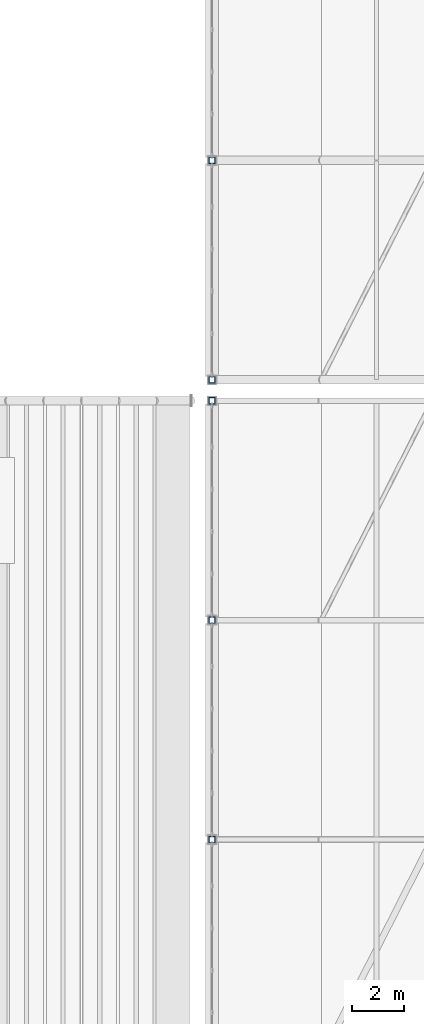
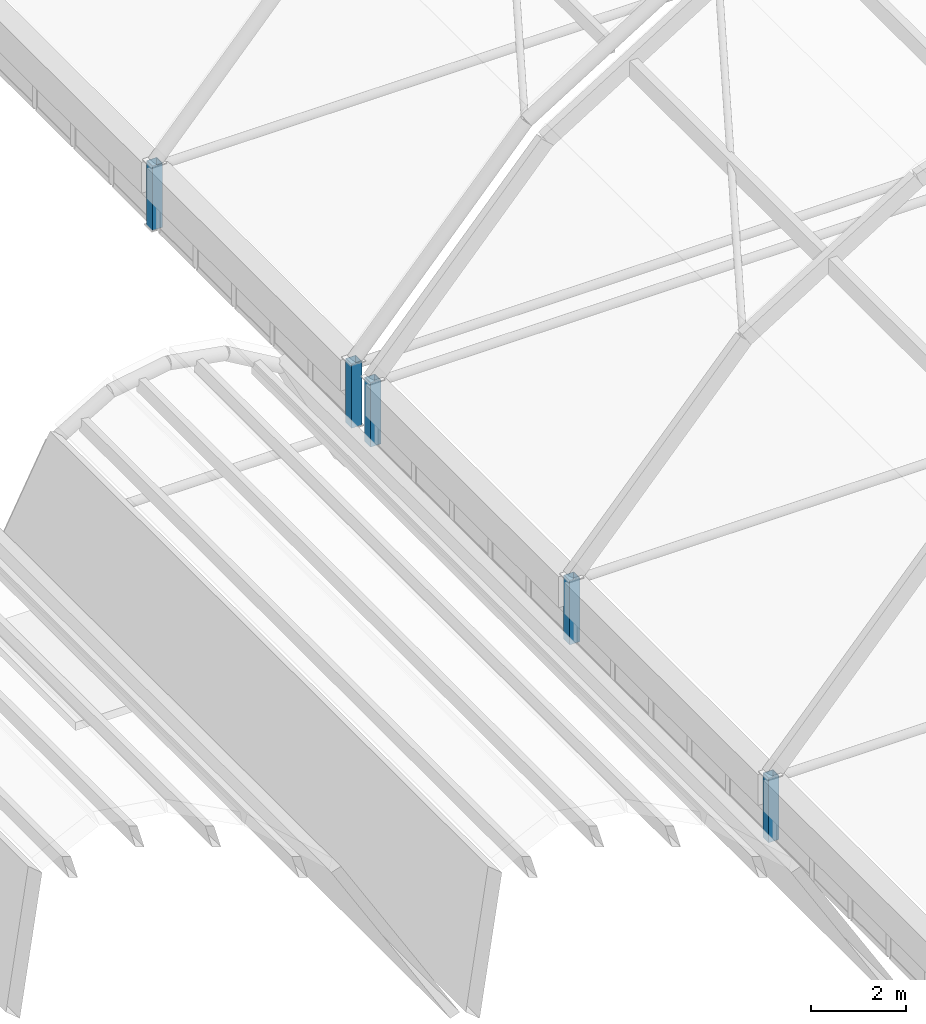
# One storey, part 3 of 114: 5 columns.
"""IFC4 building model written with IfcOpenShell, lengths in metres."""

import ifcopenshell
import ifcopenshell.guid

model = None  # the IFC model being written
_history = None  # IfcOwnerHistory: only IFC2X3 demands one
_inside = {}  # id of a spatial element -> (the spatial element, [elements in it])
_under = {}  # id of a project, library or spatial element -> (it, [spatial elements below it])
_declared = {}  # id of a project -> (the project, [libraries it declares])
_typed = {}  # id of a type object -> (the type object, [elements of that type])
_made_of = {}  # id of a material, layer set ... -> (it, [elements and type objects made of it])


def new_model(schema):
    """Start an empty IFC model of exactly this schema.

    Asked for "IFC4X3", IfcOpenShell would pick the latest addendum, in which some entities
    have other attributes; the version numbers below select the first issue.
    IFC2X3 requires an IfcOwnerHistory on every rooted entity: one is made here for all.
    """
    global model, _history
    if schema == "IFC4X3":
        model = ifcopenshell.file(schema_version=(4, 3, 0, 0))
    else:
        model = ifcopenshell.file(schema=schema)
    _inside.clear()
    _under.clear()
    _declared.clear()
    _typed.clear()
    _made_of.clear()
    _history = None
    if model.schema == "IFC2X3":
        org = make("IfcOrganization", Name="unknown")
        user = make(
            "IfcPersonAndOrganization",
            ThePerson=make("IfcPerson", FamilyName="unknown"),
            TheOrganization=org,
        )
        app = make(
            "IfcApplication",
            ApplicationDeveloper=org,
            Version="unknown",
            ApplicationFullName="unknown",
            ApplicationIdentifier="unknown",
        )
        _history = make(
            "IfcOwnerHistory",
            OwningUser=user,
            OwningApplication=app,
            ChangeAction="ADDED",
            CreationDate=0,
        )
    return model


def make(cls, **values):
    """One entity of the class cls with the attributes given. An attribute that is None is left unset."""
    return model.create_entity(
        cls, **{name: value for name, value in values.items() if value is not None}
    )


def rooted(cls, **values):
    """An entity with a GlobalId (a new one), such as an element, a storey or a relation."""
    return make(cls, GlobalId=ifcopenshell.guid.new(), OwnerHistory=_history, **values)


def si_unit(unit_type, name, prefix=None):
    """IfcSIUnit, for example si_unit("LENGTHUNIT", "METRE", prefix="MILLI")."""
    return make("IfcSIUnit", UnitType=unit_type, Prefix=prefix, Name=name)


def assignment(units):
    """IfcUnitAssignment: the units of a project."""
    return None if units is None else make("IfcUnitAssignment", Units=units)


def point(xyz):
    """IfcCartesianPoint."""
    return None if xyz is None else make("IfcCartesianPoint", Coordinates=xyz)


def direction(xyz):
    """IfcDirection."""
    return None if xyz is None else make("IfcDirection", DirectionRatios=xyz)


def frame(location, z_axis=None, x_axis=None):
    """IfcAxis2Placement3D, a coordinate frame: its origin and axes. An axis left out is left unset."""
    return make(
        "IfcAxis2Placement3D",
        Location=point(location),
        Axis=direction(z_axis),
        RefDirection=direction(x_axis),
    )


def frame_2d(location, x_axis=None):
    """IfcAxis2Placement2D, a coordinate frame in the plane: its origin and x axis."""
    return make(
        "IfcAxis2Placement2D", Location=point(location), RefDirection=direction(x_axis)
    )


def origin():
    """The frame at (0, 0, 0) with its axes left unset."""
    return frame((0.0, 0.0, 0.0))


def origin_2d():
    """The frame at (0, 0) in the plane with its x axis left unset."""
    return frame_2d((0.0, 0.0))


def place(relative_to, where):
    """IfcLocalPlacement: puts the frame where relative to a parent placement (None: the world)."""
    return make(
        "IfcLocalPlacement", PlacementRelTo=relative_to, RelativePlacement=where
    )


def context(
    kind, dimensions, precision=None, world=None, true_north=None, identifier=None
):
    """IfcGeometricRepresentationContext, for example the 3D "Model" context."""
    return make(
        "IfcGeometricRepresentationContext",
        ContextIdentifier=identifier,
        ContextType=kind,
        CoordinateSpaceDimension=dimensions,
        Precision=precision,
        WorldCoordinateSystem=world,
        TrueNorth=true_north,
    )


def subcontext(parent, identifier, kind, view, scale=None):
    """IfcGeometricRepresentationSubContext, for example "Body" below "Model"."""
    return make(
        "IfcGeometricRepresentationSubContext",
        ContextIdentifier=identifier,
        ContextType=kind,
        ParentContext=parent,
        TargetScale=scale,
        TargetView=view,
    )


def project(units=None, contexts=None):
    """IfcProject with its units and contexts."""
    return rooted(
        "IfcProject",
        Name="project",
        RepresentationContexts=contexts,
        UnitsInContext=assignment(units),
    )


def spatial(cls, under=None, at=None, **own):
    """A site, building, storey or space (cls), placed at a placement, below another one or the project."""
    s = rooted(cls, ObjectPlacement=at, **own)
    if under is not None:
        _under.setdefault(under.id(), (under, []))[1].append(s)
    return s


def profile(cls, at=None, kind="AREA", **sizes):
    """A parametric profile (cls). Its sizes go by their IFC names, for example OverallWidth=200.0."""
    return make(cls, ProfileType=kind, Position=at, **sizes)


def hollow_rectangle(**sizes):
    """IfcRectangleHollowProfileDef."""
    return profile("IfcRectangleHollowProfileDef", **sizes)


def extrude(swept, where, along, depth):
    """IfcExtrudedAreaSolid: the profile swept, set in the frame where, extruded along a direction by depth."""
    return make(
        "IfcExtrudedAreaSolid",
        SweptArea=swept,
        Position=where,
        ExtrudedDirection=direction(along),
        Depth=depth,
    )


def shape(context_of_items, identifier, shape_type, items):
    """IfcShapeRepresentation: the items that make up one representation, for example the "Body"."""
    return make(
        "IfcShapeRepresentation",
        ContextOfItems=context_of_items,
        RepresentationIdentifier=identifier,
        RepresentationType=shape_type,
        Items=items,
    )


def material(Name=None, Category=None):
    """IfcMaterial."""
    return make("IfcMaterial", Name=Name, Category=Category)


def material_profile(
    of_material, cross_section, Name=None, Category=None, Priority=None
):
    """IfcMaterialProfile: a cross section and its material."""
    return make(
        "IfcMaterialProfile",
        Name=Name,
        Material=of_material,
        Profile=cross_section,
        Priority=Priority,
        Category=Category,
    )


def profile_set(profiles, Name=None, composite=None):
    """IfcMaterialProfileSet."""
    return make(
        "IfcMaterialProfileSet",
        Name=Name,
        MaterialProfiles=profiles,
        CompositeProfile=composite,
    )


def made_of(thing, what):
    """Note that an element or type object is made of a material, layer set ...; save() writes the relation."""
    if what is not None:
        _made_of.setdefault(what.id(), (what, []))[1].append(thing)
    return thing


def type_object(cls, material=None, **own):
    """A type object (cls), such as IfcWallType, which elements share."""
    return made_of(rooted(cls, **own), material)


def element(
    cls,
    number,
    at=None,
    inside=None,
    cuts=None,
    type_object=None,
    material=None,
    context=None,
    identifier="Body",
    shape_type=None,
    held_by="IfcProductDefinitionShape",
    body=None,
    shapes=None,
    **own,
):
    """One element of the class cls, such as IfcWall. Its Tag is "e" and its number.

    at: its placement. inside: the storey or other place that contains it. cuts: it is an
    opening in that element (IfcRelVoidsElement). A single representation is given by context,
    identifier, shape_type and body (its items); several are given by shapes. held_by: the class
    of the entity that holds the representations. save() writes the other relations.
    """
    e = rooted(cls, Tag="e%d" % number, ObjectPlacement=at, **own)
    if body is not None:
        shapes = [shape(context, identifier, shape_type, body)]
    if shapes is not None:
        e.Representation = make(held_by, Representations=shapes)
    if inside is not None:
        _inside.setdefault(inside.id(), (inside, []))[1].append(e)
    if cuts is not None:
        rooted(
            "IfcRelVoidsElement", RelatingBuildingElement=cuts, RelatedOpeningElement=e
        )
    if type_object is not None:
        _typed.setdefault(type_object.id(), (type_object, []))[1].append(e)
    return made_of(e, material)


def aggregate(whole, parts):
    """IfcRelAggregates: a whole, such as a stair, and the parts it consists of."""
    return rooted("IfcRelAggregates", RelatingObject=whole, RelatedObjects=parts)


def save(model, path):
    """Write the relations noted so far, then the file.

    IfcRelAggregates (storeys below a building ...), IfcRelContainedInSpatialStructure (elements
    in a storey), IfcRelDefinesByType, IfcRelAssociatesMaterial and IfcRelDeclares: one each for
    every whole, place, type object, material and project.
    """
    for whole, parts in _under.values():
        aggregate(whole, parts)
    for where, things in _inside.values():
        rooted(
            "IfcRelContainedInSpatialStructure",
            RelatedElements=things,
            RelatingStructure=where,
        )
    for kind, things in _typed.values():
        rooted("IfcRelDefinesByType", RelatedObjects=things, RelatingType=kind)
    for what, things in _made_of.values():
        rooted("IfcRelAssociatesMaterial", RelatedObjects=things, RelatingMaterial=what)
    for by, libraries in _declared.values():
        rooted("IfcRelDeclares", RelatingContext=by, RelatedDefinitions=libraries)
    model.write(path)


model = new_model("IFC4")

# Units and contexts
model_context = context("Model", 3, precision=1e-05, world=origin(), true_north=direction((0.0, 1.0)))
body_context = subcontext(model_context, "Body", "Model", "MODEL_VIEW")
ifc_project = project(units=[si_unit("LENGTHUNIT", "METRE"), si_unit("AREAUNIT", "SQUARE_METRE"), si_unit("VOLUMEUNIT", "CUBIC_METRE"), si_unit("PLANEANGLEUNIT", "RADIAN"), si_unit("MASSUNIT", "GRAM", prefix="KILO")], contexts=[model_context])

# Site, building, storey
site_placement = place(None, origin())
site = spatial("IfcSite", under=ifc_project, at=site_placement, CompositionType="ELEMENT")
building_placement = place(site_placement, origin())
building = spatial("IfcBuilding", under=site, at=building_placement, Name="Xazarin Passage Department Store", CompositionType="ELEMENT")
storey_placement = place(building_placement, frame((0.0, 0.0, 14.39990234375)))
storey = spatial("IfcBuildingStorey", under=building, at=storey_placement, Name="L03", CompositionType="ELEMENT", Elevation=14.39990234375)

# Columns
ifc_material = material(Name="Steel S355", Category="steel")
ifc_material_profile = material_profile(ifc_material, hollow_rectangle(XDim=0.25, YDim=0.25, WallThickness=0.012451171875, at=origin_2d()), Name="SHS 250x250x12.5")
ifc_profile_set = profile_set([ifc_material_profile], Name="Steel S355")
column_type = type_object("IfcColumnType", Name="STR-COL-DRM250", PredefinedType="COLUMN", material=ifc_profile_set)
for number, where, z_axis, x_axis, name in (
    (1, (68.0, 33.60009765625, 0.0), (0.0, 0.0, 1.0), (1.0, 0.0, 0.0), "V2S Gridshell Drum Column W-5"),
    (2, (68.0, 42.0, 0.0), (0.0, 0.0, 1.0), (1.0, 0.0, 0.0), "V2S Gridshell Drum Column W-6"),
    (3, (68.0, 50.39990234375, 0.0), (0.0, 0.0, 1.0), (1.0, 0.0, 0.0), "V2S Gridshell Drum Column W-7"),
    (4, (68.0, 51.199951171875, 0.0), (0.0, 0.0, 1.0), (1.0, 0.0, 0.0), "V2N Gridshell Drum Column W-1"),
    (5, (68.0, 59.60009765625, 0.0), (0.0, 0.0, 1.0), (1.0, 0.0, 0.0), "V2N Gridshell Drum Column W-2"),
):
    element("IfcColumn", number, at=place(storey_placement, frame(where, z_axis=z_axis, x_axis=x_axis)), inside=storey, type_object=column_type, Name=name, PredefinedType="COLUMN", context=body_context, shape_type="SweptSolid", body=[
        extrude(hollow_rectangle(XDim=0.25, YDim=0.25, WallThickness=0.012451171875, at=origin_2d()), origin(), (0.0, 0.0, 1.0), 1.65185546875),
    ])

save(model, "model.ifc")
